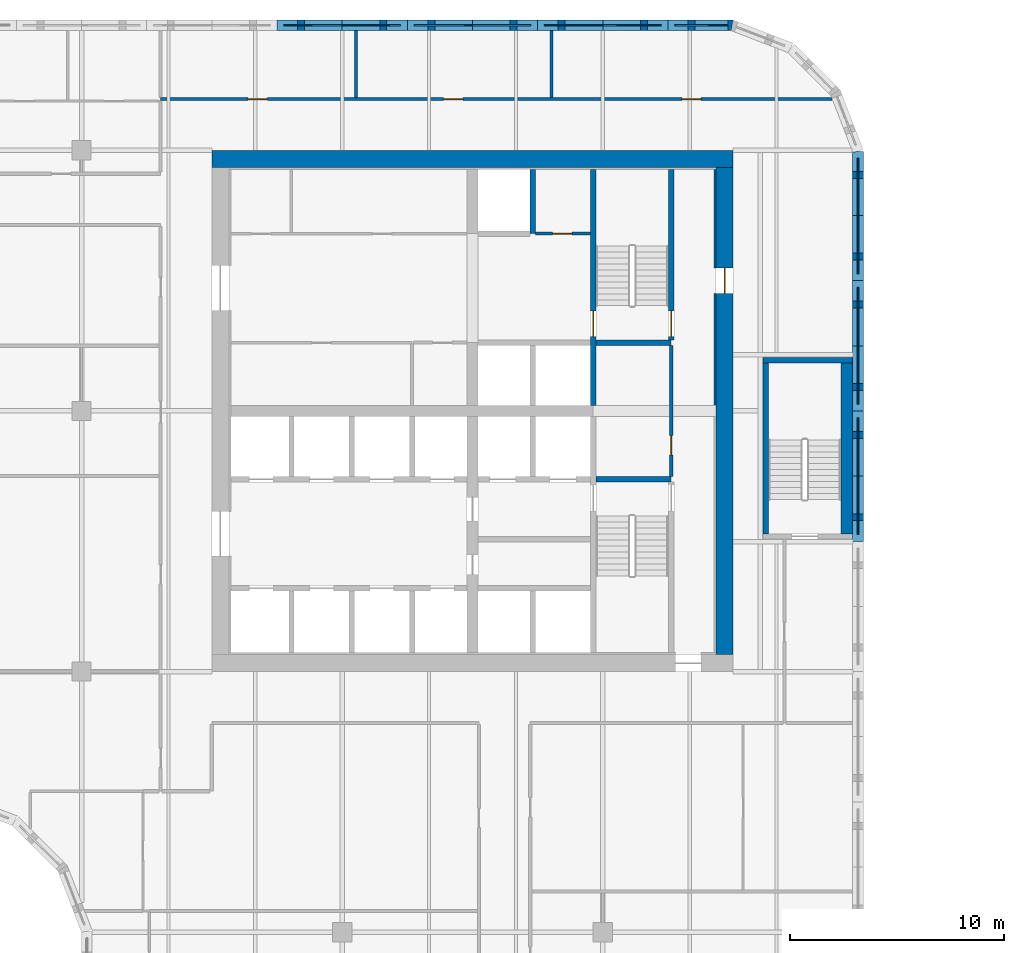
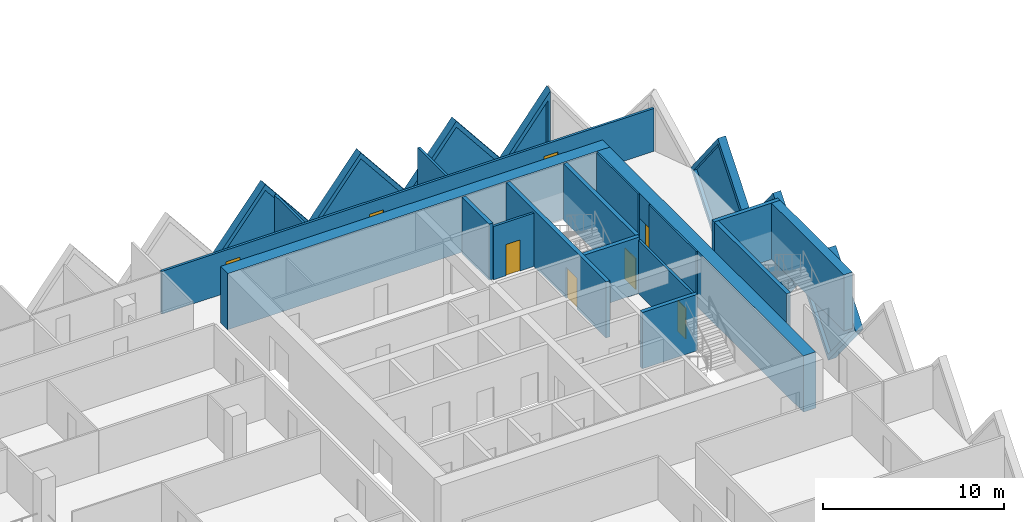
# One storey, part 10 of 21: 24 walls, 8 doors, 7 plates, 15 openings.
"""IFC4 building model written with IfcOpenShell, lengths in metres."""

import ifcopenshell
import ifcopenshell.guid

model = None  # the IFC model being written
_history = None  # IfcOwnerHistory: only IFC2X3 demands one
_inside = {}  # id of a spatial element -> (the spatial element, [elements in it])
_under = {}  # id of a project, library or spatial element -> (it, [spatial elements below it])
_declared = {}  # id of a project -> (the project, [libraries it declares])
_typed = {}  # id of a type object -> (the type object, [elements of that type])
_made_of = {}  # id of a material, layer set ... -> (it, [elements and type objects made of it])


def new_model(schema):
    """Start an empty IFC model of exactly this schema.

    Asked for "IFC4X3", IfcOpenShell would pick the latest addendum, in which some entities
    have other attributes; the version numbers below select the first issue.
    IFC2X3 requires an IfcOwnerHistory on every rooted entity: one is made here for all.
    """
    global model, _history
    if schema == "IFC4X3":
        model = ifcopenshell.file(schema_version=(4, 3, 0, 0))
    else:
        model = ifcopenshell.file(schema=schema)
    _inside.clear()
    _under.clear()
    _declared.clear()
    _typed.clear()
    _made_of.clear()
    _history = None
    if model.schema == "IFC2X3":
        org = make("IfcOrganization", Name="unknown")
        user = make(
            "IfcPersonAndOrganization",
            ThePerson=make("IfcPerson", FamilyName="unknown"),
            TheOrganization=org,
        )
        app = make(
            "IfcApplication",
            ApplicationDeveloper=org,
            Version="unknown",
            ApplicationFullName="unknown",
            ApplicationIdentifier="unknown",
        )
        _history = make(
            "IfcOwnerHistory",
            OwningUser=user,
            OwningApplication=app,
            ChangeAction="ADDED",
            CreationDate=0,
        )
    return model


def make(cls, **values):
    """One entity of the class cls with the attributes given. An attribute that is None is left unset."""
    return model.create_entity(
        cls, **{name: value for name, value in values.items() if value is not None}
    )


def rooted(cls, **values):
    """An entity with a GlobalId (a new one), such as an element, a storey or a relation."""
    return make(cls, GlobalId=ifcopenshell.guid.new(), OwnerHistory=_history, **values)


def si_unit(unit_type, name, prefix=None):
    """IfcSIUnit, for example si_unit("LENGTHUNIT", "METRE", prefix="MILLI")."""
    return make("IfcSIUnit", UnitType=unit_type, Prefix=prefix, Name=name)


def assignment(units):
    """IfcUnitAssignment: the units of a project."""
    return None if units is None else make("IfcUnitAssignment", Units=units)


def point(xyz):
    """IfcCartesianPoint."""
    return None if xyz is None else make("IfcCartesianPoint", Coordinates=xyz)


def direction(xyz):
    """IfcDirection."""
    return None if xyz is None else make("IfcDirection", DirectionRatios=xyz)


def frame(location, z_axis=None, x_axis=None):
    """IfcAxis2Placement3D, a coordinate frame: its origin and axes. An axis left out is left unset."""
    return make(
        "IfcAxis2Placement3D",
        Location=point(location),
        Axis=direction(z_axis),
        RefDirection=direction(x_axis),
    )


def frame_2d(location, x_axis=None):
    """IfcAxis2Placement2D, a coordinate frame in the plane: its origin and x axis."""
    return make(
        "IfcAxis2Placement2D", Location=point(location), RefDirection=direction(x_axis)
    )


def origin():
    """The frame at (0, 0, 0) with its axes left unset."""
    return frame((0.0, 0.0, 0.0))


def place(relative_to, where):
    """IfcLocalPlacement: puts the frame where relative to a parent placement (None: the world)."""
    return make(
        "IfcLocalPlacement", PlacementRelTo=relative_to, RelativePlacement=where
    )


def context(
    kind, dimensions, precision=None, world=None, true_north=None, identifier=None
):
    """IfcGeometricRepresentationContext, for example the 3D "Model" context."""
    return make(
        "IfcGeometricRepresentationContext",
        ContextIdentifier=identifier,
        ContextType=kind,
        CoordinateSpaceDimension=dimensions,
        Precision=precision,
        WorldCoordinateSystem=world,
        TrueNorth=true_north,
    )


def subcontext(parent, identifier, kind, view, scale=None):
    """IfcGeometricRepresentationSubContext, for example "Body" below "Model"."""
    return make(
        "IfcGeometricRepresentationSubContext",
        ContextIdentifier=identifier,
        ContextType=kind,
        ParentContext=parent,
        TargetScale=scale,
        TargetView=view,
    )


def project(units=None, contexts=None):
    """IfcProject with its units and contexts."""
    return rooted(
        "IfcProject",
        Name="project",
        RepresentationContexts=contexts,
        UnitsInContext=assignment(units),
    )


def spatial(cls, under=None, at=None, **own):
    """A site, building, storey or space (cls), placed at a placement, below another one or the project."""
    s = rooted(cls, ObjectPlacement=at, **own)
    if under is not None:
        _under.setdefault(under.id(), (under, []))[1].append(s)
    return s


def polyline(points):
    """IfcPolyline through the points."""
    return make("IfcPolyline", Points=[point(p) for p in points])


def profile(cls, at=None, kind="AREA", **sizes):
    """A parametric profile (cls). Its sizes go by their IFC names, for example OverallWidth=200.0."""
    return make(cls, ProfileType=kind, Position=at, **sizes)


def rectangle(**sizes):
    """IfcRectangleProfileDef."""
    return profile("IfcRectangleProfileDef", **sizes)


def outline(outer, holes=None, kind="AREA"):
    """IfcArbitraryClosedProfileDef: a profile drawn as a closed curve; with holes, ...WithVoids."""
    if holes is None:
        return make("IfcArbitraryClosedProfileDef", ProfileType=kind, OuterCurve=outer)
    return make(
        "IfcArbitraryProfileDefWithVoids",
        ProfileType=kind,
        OuterCurve=outer,
        InnerCurves=holes,
    )


def extrude(swept, where, along, depth):
    """IfcExtrudedAreaSolid: the profile swept, set in the frame where, extruded along a direction by depth."""
    return make(
        "IfcExtrudedAreaSolid",
        SweptArea=swept,
        Position=where,
        ExtrudedDirection=direction(along),
        Depth=depth,
    )


def faces_of(points, faces, orient=None, outer=None):
    """IfcFace entities. A face is a list of loops; a loop is a list of indices into points, from 0.

    orient and outer hold one flag for each loop. By default every Orientation is true, the
    first loop of a face is its IfcFaceOuterBound and the others are IfcFaceBound.
    """
    made = []
    for i, loops in enumerate(faces):
        bounds = []
        for j, loop in enumerate(loops):
            is_outer = j == 0 if outer is None else outer[i][j]
            bounds.append(
                make(
                    "IfcFaceOuterBound" if is_outer else "IfcFaceBound",
                    Bound=make("IfcPolyLoop", Polygon=[points[k] for k in loop]),
                    Orientation=True if orient is None else orient[i][j],
                )
            )
        made.append(make("IfcFace", Bounds=bounds))
    return made


def faceted_brep(points, faces, orient=None, outer=None, voids=None):
    """IfcFacetedBrep: a solid bounded by flat faces; with voids (closed shells), ...WithVoids."""
    shared = [point(p) for p in points]
    hull = make("IfcClosedShell", CfsFaces=faces_of(shared, faces, orient, outer))
    if voids is None:
        return make("IfcFacetedBrep", Outer=hull)
    return make(
        "IfcFacetedBrepWithVoids",
        Outer=hull,
        Voids=[
            make(cls, CfsFaces=faces_of(shared, fs, o, b)) for cls, fs, o, b in voids
        ],
    )


def shape(context_of_items, identifier, shape_type, items):
    """IfcShapeRepresentation: the items that make up one representation, for example the "Body"."""
    return make(
        "IfcShapeRepresentation",
        ContextOfItems=context_of_items,
        RepresentationIdentifier=identifier,
        RepresentationType=shape_type,
        Items=items,
    )


def source(mapping_origin, context_of_items, identifier, shape_type, items):
    """IfcRepresentationMap: a shape defined once, which mapped items show again and again."""
    return make(
        "IfcRepresentationMap",
        MappingOrigin=mapping_origin,
        MappedRepresentation=shape(context_of_items, identifier, shape_type, items),
    )


def transform(
    local_origin,
    x_axis=None,
    y_axis=None,
    z_axis=None,
    scale=None,
    scale2=None,
    scale3=None,
    uniform=True,
):
    """IfcCartesianTransformationOperator3D, or its non-uniform kind. x_axis, y_axis, z_axis: its Axis1, 2, 3."""
    if uniform:
        return make(
            "IfcCartesianTransformationOperator3D",
            Axis1=direction(x_axis),
            Axis2=direction(y_axis),
            LocalOrigin=point(local_origin),
            Scale=scale,
            Axis3=direction(z_axis),
        )
    return make(
        "IfcCartesianTransformationOperator3DnonUniform",
        Axis1=direction(x_axis),
        Axis2=direction(y_axis),
        LocalOrigin=point(local_origin),
        Scale=scale,
        Axis3=direction(z_axis),
        Scale2=scale2,
        Scale3=scale3,
    )


def mapped(mapping_source, mapping_target):
    """IfcMappedItem: shows the shape of a source again, moved by a transform."""
    return make(
        "IfcMappedItem", MappingSource=mapping_source, MappingTarget=mapping_target
    )


def material(Name=None, Category=None):
    """IfcMaterial."""
    return make("IfcMaterial", Name=Name, Category=Category)


def layer(
    of_material, thickness, ventilated=None, Name=None, Category=None, Priority=None
):
    """IfcMaterialLayer: one layer of a wall or slab, of a material (None: an air gap)."""
    return make(
        "IfcMaterialLayer",
        Material=of_material,
        LayerThickness=thickness,
        IsVentilated=ventilated,
        Name=Name,
        Category=Category,
        Priority=Priority,
    )


def layer_set(layers, Name=None):
    """IfcMaterialLayerSet."""
    return make("IfcMaterialLayerSet", MaterialLayers=layers, LayerSetName=Name)


def made_of(thing, what):
    """Note that an element or type object is made of a material, layer set ...; save() writes the relation."""
    if what is not None:
        _made_of.setdefault(what.id(), (what, []))[1].append(thing)
    return thing


def type_object(cls, material=None, **own):
    """A type object (cls), such as IfcWallType, which elements share."""
    return made_of(rooted(cls, **own), material)


def element(
    cls,
    number,
    at=None,
    inside=None,
    cuts=None,
    type_object=None,
    material=None,
    context=None,
    identifier="Body",
    shape_type=None,
    held_by="IfcProductDefinitionShape",
    body=None,
    shapes=None,
    **own,
):
    """One element of the class cls, such as IfcWall. Its Tag is "e" and its number.

    at: its placement. inside: the storey or other place that contains it. cuts: it is an
    opening in that element (IfcRelVoidsElement). A single representation is given by context,
    identifier, shape_type and body (its items); several are given by shapes. held_by: the class
    of the entity that holds the representations. save() writes the other relations.
    """
    e = rooted(cls, Tag="e%d" % number, ObjectPlacement=at, **own)
    if body is not None:
        shapes = [shape(context, identifier, shape_type, body)]
    if shapes is not None:
        e.Representation = make(held_by, Representations=shapes)
    if inside is not None:
        _inside.setdefault(inside.id(), (inside, []))[1].append(e)
    if cuts is not None:
        rooted(
            "IfcRelVoidsElement", RelatingBuildingElement=cuts, RelatedOpeningElement=e
        )
    if type_object is not None:
        _typed.setdefault(type_object.id(), (type_object, []))[1].append(e)
    return made_of(e, material)


def fill(opening, filler):
    """IfcRelFillsElement: the door or window that sits in an opening."""
    return rooted(
        "IfcRelFillsElement",
        RelatingOpeningElement=opening,
        RelatedBuildingElement=filler,
    )


def aggregate(whole, parts):
    """IfcRelAggregates: a whole, such as a stair, and the parts it consists of."""
    return rooted("IfcRelAggregates", RelatingObject=whole, RelatedObjects=parts)


def save(model, path):
    """Write the relations noted so far, then the file.

    IfcRelAggregates (storeys below a building ...), IfcRelContainedInSpatialStructure (elements
    in a storey), IfcRelDefinesByType, IfcRelAssociatesMaterial and IfcRelDeclares: one each for
    every whole, place, type object, material and project.
    """
    for whole, parts in _under.values():
        aggregate(whole, parts)
    for where, things in _inside.values():
        rooted(
            "IfcRelContainedInSpatialStructure",
            RelatedElements=things,
            RelatingStructure=where,
        )
    for kind, things in _typed.values():
        rooted("IfcRelDefinesByType", RelatedObjects=things, RelatingType=kind)
    for what, things in _made_of.values():
        rooted("IfcRelAssociatesMaterial", RelatedObjects=things, RelatingMaterial=what)
    for by, libraries in _declared.values():
        rooted("IfcRelDeclares", RelatingContext=by, RelatedDefinitions=libraries)
    model.write(path)


model = new_model("IFC4")

# Units and contexts
model_context = context("Model", 3, precision=1e-05, world=origin(), true_north=direction((0.0, 1.0)))
body_context = subcontext(model_context, "Body", "Model", "MODEL_VIEW")
ifc_project = project(units=[si_unit("LENGTHUNIT", "METRE"), si_unit("AREAUNIT", "SQUARE_METRE"), si_unit("VOLUMEUNIT", "CUBIC_METRE"), si_unit("PLANEANGLEUNIT", "RADIAN"), si_unit("MASSUNIT", "GRAM", prefix="KILO")], contexts=[model_context])

# Site, building, storey
site_placement = place(None, origin())
site = spatial("IfcSite", under=ifc_project, at=site_placement, CompositionType="ELEMENT")
building_placement = place(site_placement, origin())
building = spatial("IfcBuilding", under=site, at=building_placement, Name="Tessera Gate Towers", CompositionType="ELEMENT")
storey_placement = place(building_placement, frame((0.0, 0.0, 91.39990234375)))
storey = spatial("IfcBuildingStorey", under=building, at=storey_placement, Name="L22", CompositionType="ELEMENT", Elevation=91.39990234375)

# Wall, opening, door
ifc_material_1 = material(Name="Concrete C40/50", Category="concrete")
ifc_layer_1 = layer(ifc_material_1, 0.25)
ifc_layer_set_1 = layer_set([ifc_layer_1], Name="CORE ENCLOSURE WALL 250")
wall_type_1 = type_object("IfcWallType", Name="CORE ENCLOSURE WALL 250", PredefinedType="SOLIDWALL", material=ifc_layer_set_1)
wall_1_placement = place(storey_placement, frame((48.35009765625, 47.89990234375, 0.0), z_axis=(0.0, 0.0, 1.0), x_axis=(0.0, -1.0, 0.0)))
wall_1 = element("IfcWall", 1, at=wall_1_placement, inside=storey, type_object=wall_type_1, Name="L22 shaft and stair enclosure wall", PredefinedType="SOLIDWALL", context=body_context, shape_type="SweptSolid", body=[
    extrude(rectangle(XDim=11.0498046875, YDim=0.25, at=frame_2d((5.52490234375, 0.0))), origin(), (0.0, 0.0, 1.0), 3.800048828125),
])
shared_shape_1 = source(origin(), body_context, "Body", "SweptSolid", [
    extrude(rectangle(XDim=1.199951171875, YDim=2.10009765625, at=frame_2d((0.60009765625, 1.050048828125))), frame((0.0, 0.135009765625, 0.0), z_axis=(0.0, -1.0, 0.0), x_axis=(1.0, 0.0, 0.0)), (0.0, 0.0, 1.0), 0.27001953125),
])
opening_1_placement = place(wall_1_placement, frame((6.625, 0.0, 0.0)))
opening_1 = element("IfcOpeningElement", 2, at=opening_1_placement, cuts=wall_1, Name="Opening SD-ST2-1", PredefinedType="OPENING", context=body_context, shape_type="MappedRepresentation", body=[
    mapped(shared_shape_1, transform((0.0, 0.0, 0.0), scale=1.0)),
])
ifc_material_2 = material(Name="Hollow steel fire door", Category="steel")
door_type_1 = type_object("IfcDoorType", Name="CORE DOOR SD 1200x2100", OperationType="NOTDEFINED", PredefinedType="DOOR", material=ifc_material_2)
shared_shape_2 = source(origin(), body_context, "Body", "SweptSolid", [
    extrude(rectangle(XDim=1.199951171875, YDim=2.10009765625, at=frame_2d((0.60009765625, 1.050048828125))), frame((0.0, 0.02490234375, 0.0), z_axis=(0.0, -1.0, 0.0), x_axis=(1.0, 0.0, 0.0)), (0.0, 0.0, 1.0), 0.050048828125),
])
door_1_placement = place(opening_1_placement, origin())
door_1 = element("IfcDoor", 3, at=door_1_placement, inside=storey, type_object=door_type_1, Name="Stair door", OperationType="SINGLE_SWING_RIGHT", OverallHeight=2.10009765625, OverallWidth=1.199951171875, PredefinedType="DOOR", context=body_context, shape_type="MappedRepresentation", body=[
    mapped(shared_shape_2, transform((0.0, 0.0, 0.0), scale=1.0)),
])
fill(opening_1, door_1)

# Walls
for number, where, z_axis, x_axis, name in (
    (4, (48.47509765625, 33.39990234375, 0.0), (0.0, 0.0, 1.0), (1.0, 0.0, 0.0), "L22 shaft and stair enclosure wall"),
    (5, (48.47509765625, 39.800048828125, 0.0), (0.0, 0.0, 1.0), (1.0, 0.0, 0.0), "L22 shaft and stair enclosure wall"),
):
    element("IfcWall", number, at=place(storey_placement, frame(where, z_axis=z_axis, x_axis=x_axis)), inside=storey, type_object=wall_type_1, Name=name, PredefinedType="SOLIDWALL", context=body_context, shape_type="SweptSolid", body=[
        extrude(rectangle(XDim=3.52490234375, YDim=0.25, at=frame_2d((1.762451171875, 0.0))), origin(), (0.0, 0.0, 1.0), 3.800048828125),
    ])

# Wall, opening, door
wall_2_placement = place(storey_placement, frame((52.0, 39.925048828125, 0.0), z_axis=(0.0, 0.0, 1.0), x_axis=(0.0, 1.0, 0.0)))
wall_2 = element("IfcWall", 6, at=wall_2_placement, inside=storey, type_object=wall_type_1, Name="L22 shaft and stair enclosure wall", PredefinedType="SOLIDWALL", context=body_context, shape_type="SweptSolid", body=[
    extrude(rectangle(XDim=7.974853515625, YDim=0.25, at=frame_2d((3.9873046875, 0.0))), origin(), (0.0, 0.0, 1.0), 3.800048828125),
])
opening_2_placement = place(wall_2_placement, frame((0.14990234375, 0.0, 0.0)))
opening_2 = element("IfcOpeningElement", 7, at=opening_2_placement, cuts=wall_2, Name="Opening SD-ST2-2", PredefinedType="OPENING", context=body_context, shape_type="MappedRepresentation", body=[
    mapped(shared_shape_1, transform((0.0, 0.0, 0.0), scale=1.0)),
])
door_2_placement = place(opening_2_placement, origin())
door_2 = element("IfcDoor", 8, at=door_2_placement, inside=storey, type_object=door_type_1, Name="Stair door", OperationType="SINGLE_SWING_LEFT", OverallHeight=2.10009765625, OverallWidth=1.199951171875, PredefinedType="DOOR", context=body_context, shape_type="MappedRepresentation", body=[
    mapped(shared_shape_2, transform((0.0, 0.0, 0.0), scale=1.0)),
])
fill(opening_2, door_2)

# Walls
wall_3_placement = place(storey_placement, frame((45.52490234375, 44.89990234375, 0.0), z_axis=(0.0, 0.0, 1.0), x_axis=(0.0, 1.0, 0.0)))
element("IfcWall", 9, at=wall_3_placement, inside=storey, type_object=wall_type_1, Name="L22 shaft and stair enclosure wall", PredefinedType="SOLIDWALL", context=body_context, shape_type="SweptSolid", body=[
    extrude(rectangle(XDim=3.0, YDim=0.25, at=frame_2d((1.5, 0.0))), origin(), (0.0, 0.0, 1.0), 3.800048828125),
])
wall_4_placement = place(storey_placement, frame((56.425048828125, 30.85009765625, 0.0), z_axis=(0.0, 0.0, 1.0), x_axis=(0.0, 1.0, 0.0)))
element("IfcWall", 10, at=wall_4_placement, inside=storey, type_object=wall_type_1, Name="L22 ST5 enclosure wall", PredefinedType="SOLIDWALL", context=body_context, shape_type="SweptSolid", body=[
    extrude(rectangle(XDim=8.0, YDim=0.25, at=frame_2d((4.0, 0.0))), origin(), (0.0, 0.0, 1.0), 3.800048828125),
])
wall_5_placement = place(storey_placement, frame((56.300048828125, 38.97509765625, 0.0), z_axis=(0.0, 0.0, 1.0), x_axis=(1.0, 0.0, 0.0)))
element("IfcWall", 11, at=wall_5_placement, inside=storey, type_object=wall_type_1, Name="L22 ST5 enclosure wall", PredefinedType="SOLIDWALL", context=body_context, shape_type="SweptSolid", body=[
    extrude(rectangle(XDim=4.199951171875, YDim=0.25, at=frame_2d((2.10009765625, 0.0))), origin(), (0.0, 0.0, 1.0), 3.800048828125),
])
ifc_material_3 = material(Name="Concrete C40/50", Category="concrete")
ifc_layer_2 = layer(ifc_material_3, 0.550048828125)
ifc_layer_set_2 = layer_set([ifc_layer_2], Name="CORE ENCLOSURE WALL 550")
wall_type_2 = type_object("IfcWallType", Name="CORE ENCLOSURE WALL 550", PredefinedType="SOLIDWALL", material=ifc_layer_set_2)
wall_6_placement = place(storey_placement, frame((60.22509765625, 38.85009765625, 0.0), z_axis=(0.0, 0.0, 1.0), x_axis=(0.0, -1.0, 0.0)))
element("IfcWall", 12, at=wall_6_placement, inside=storey, type_object=wall_type_2, Name="L22 ST5 enclosure wall", PredefinedType="SOLIDWALL", context=body_context, shape_type="SweptSolid", body=[
    extrude(rectangle(XDim=8.0, YDim=0.550048828125, at=frame_2d((4.0, 0.0))), origin(), (0.0, 0.0, 1.0), 3.800048828125),
])
ifc_material_4 = material(Name="Concrete C60/75", Category="concrete")
ifc_layer_3 = layer(ifc_material_4, 0.800048828125)
ifc_layer_set_3 = layer_set([ifc_layer_3], Name="CORE SHEAR WALL 800 C60/75")
wall_type_3 = type_object("IfcWallType", Name="CORE SHEAR WALL 800 C60/75", PredefinedType="SHEAR", material=ifc_layer_set_3)
wall_7_placement = place(storey_placement, frame((30.5, 48.39990234375, 0.0), z_axis=(0.0, 0.0, 1.0), x_axis=(1.0, 0.0, 0.0)))
element("IfcWall", 13, at=wall_7_placement, inside=storey, type_object=wall_type_3, Name="Core wall N L22", PredefinedType="SHEAR", context=body_context, shape_type="SweptSolid", body=[
    extrude(rectangle(XDim=24.39990234375, YDim=0.800048828125, at=frame_2d((12.199951171875, 0.0))), origin(), (0.0, 0.0, 1.0), 3.800048828125),
])

# Wall, opening, door
wall_8_placement = place(storey_placement, frame((54.5, 48.0, 0.0), z_axis=(0.0, 0.0, 1.0), x_axis=(0.0, -1.0, 0.0)))
wall_8 = element("IfcWall", 14, at=wall_8_placement, inside=storey, type_object=wall_type_3, Name="Core wall E L22", PredefinedType="SHEAR", context=body_context, shape_type="SweptSolid", body=[
    extrude(rectangle(XDim=22.800048828125, YDim=0.800048828125, at=frame_2d((11.39990234375, 0.0))), origin(), (0.0, 0.0, 1.0), 3.800048828125),
])
shared_shape_3 = source(origin(), body_context, "Body", "SweptSolid", [
    extrude(rectangle(XDim=1.199951171875, YDim=2.10009765625, at=frame_2d((0.60009765625, 1.050048828125))), frame((0.0, 0.409912109375, 0.0), z_axis=(0.0, -1.0, 0.0), x_axis=(1.0, 0.0, 0.0)), (0.0, 0.0, 1.0), 0.820068359375),
])
opening_3_placement = place(wall_8_placement, frame((4.699951171875, 0.0, 0.0)))
opening_3 = element("IfcOpeningElement", 15, at=opening_3_placement, cuts=wall_8, Name="Opening ED-T1-15-04", PredefinedType="OPENING", context=body_context, shape_type="MappedRepresentation", body=[
    mapped(shared_shape_3, transform((0.0, 0.0, 0.0), scale=1.0)),
])
ifc_material_5 = material(Name="Hollow steel fire door", Category="steel")
door_type_2 = type_object("IfcDoorType", Name="CORE DOOR ED 1200x2100", OperationType="NOTDEFINED", PredefinedType="DOOR", material=ifc_material_5)
door_3_placement = place(opening_3_placement, origin())
door_3 = element("IfcDoor", 16, at=door_3_placement, inside=storey, type_object=door_type_2, Name="Core exit door", OperationType="SINGLE_SWING_LEFT", OverallHeight=2.10009765625, OverallWidth=1.199951171875, PredefinedType="DOOR", context=body_context, shape_type="MappedRepresentation", body=[
    mapped(shared_shape_2, transform((0.0, 0.0, 0.0), scale=1.0)),
])
fill(opening_3, door_3)

# Walls
ifc_material_6 = material(Name="Concrete C60/75", Category="concrete")
ifc_layer_4 = layer(ifc_material_6, 0.10009765625)
ifc_layer_set_4 = layer_set([ifc_layer_4], Name="CORE WALL THICKENING 100")
wall_type_4 = type_object("IfcWallType", Name="CORE WALL THICKENING 100", PredefinedType="SOLIDWALL", material=ifc_layer_set_4)
wall_9_placement = place(storey_placement, frame((54.050048828125, 36.8798828125, 0.0), z_axis=(0.0, 0.0, 1.0), x_axis=(0.0, 1.0, 0.0)))
element("IfcWall", 17, at=wall_9_placement, inside=storey, type_object=wall_type_4, Name="Core wall thickening E L22", PredefinedType="SOLIDWALL", context=body_context, shape_type="SweptSolid", body=[
    extrude(rectangle(XDim=5.22021484375, YDim=0.10009765625, at=frame_2d((2.610107421875, 0.0))), origin(), (0.0, 0.0, 1.0), 3.800048828125),
])
wall_10_placement = place(storey_placement, frame((54.050048828125, 43.300048828125, 0.0), z_axis=(0.0, 0.0, 1.0), x_axis=(0.0, 1.0, 0.0)))
element("IfcWall", 18, at=wall_10_placement, inside=storey, type_object=wall_type_4, Name="Core wall thickening E L22", PredefinedType="SOLIDWALL", context=body_context, shape_type="SweptSolid", body=[
    extrude(rectangle(XDim=4.599853515625, YDim=0.10009765625, at=frame_2d((2.2998046875, 0.0))), origin(), (0.0, 0.0, 1.0), 3.800048828125),
])

# Wall, openings, doors
ifc_material_7 = material(Name="Gypsum board on steel studs, mineral wool", Category="steel")
ifc_layer_5 = layer(ifc_material_7, 0.14990234375)
ifc_layer_set_5 = layer_set([ifc_layer_5], Name="CORRIDOR WALL 150")
wall_type_5 = type_object("IfcWallType", Name="CORRIDOR WALL 150", PredefinedType="PARTITIONING", material=ifc_layer_set_5)
wall_11_placement = place(storey_placement, frame((28.10009765625, 51.199951171875, 0.0), z_axis=(0.0, 0.0, 1.0), x_axis=(1.0, 0.0, 0.0)))
wall_11 = element("IfcWall", 19, at=wall_11_placement, inside=storey, type_object=wall_type_5, Name="T1-L22-PW-054", PredefinedType="PARTITIONING", context=body_context, shape_type="SweptSolid", body=[
    extrude(rectangle(XDim=31.438232421875, YDim=0.14990234375, at=frame_2d((15.71923828125, 0.0))), origin(), (0.0, 0.0, 1.0), 2.89501953125),
])
shared_shape_4 = source(origin(), body_context, "Body", "SweptSolid", [
    extrude(rectangle(XDim=0.89990234375, YDim=2.10009765625, at=frame_2d((0.449951171875, 1.050048828125))), frame((0.0, 0.0849609375, 0.0), z_axis=(0.0, -1.0, 0.0), x_axis=(1.0, 0.0, 0.0)), (0.0, 0.0, 1.0), 0.169921875),
])
opening_4_placement = place(wall_11_placement, frame((13.2509765625, 0.0, 0.0)))
opening_4 = element("IfcOpeningElement", 20, at=opening_4_placement, cuts=wall_11, Name="Opening D890FD60-A08-09", PredefinedType="OPENING", context=body_context, shape_type="MappedRepresentation", body=[
    mapped(shared_shape_4, transform((0.0, 0.0, 0.0), scale=1.0)),
])
opening_5_placement = place(wall_11_placement, frame((4.10009765625, 0.0, 0.0)))
opening_5 = element("IfcOpeningElement", 21, at=opening_5_placement, cuts=wall_11, Name="Opening D890FD60-A08-10", PredefinedType="OPENING", context=body_context, shape_type="MappedRepresentation", body=[
    mapped(shared_shape_4, transform((0.0, 0.0, 0.0), scale=1.0)),
])
opening_6_placement = place(wall_11_placement, frame((24.39990234375, 0.0, 0.0)))
opening_6 = element("IfcOpeningElement", 22, at=opening_6_placement, cuts=wall_11, Name="Opening D890FD60-A08-13", PredefinedType="OPENING", context=body_context, shape_type="MappedRepresentation", body=[
    mapped(shared_shape_4, transform((0.0, 0.0, 0.0), scale=1.0)),
])
ifc_material_8 = material(Name="Timber door leaf in steel frame", Category="steel")
door_type_3 = type_object("IfcDoorType", Name="CORRIDOR DOOR 900 FD60", OperationType="NOTDEFINED", PredefinedType="DOOR", material=ifc_material_8)
shared_shape_5 = source(origin(), body_context, "Body", "SweptSolid", [
    extrude(rectangle(XDim=0.89990234375, YDim=2.10009765625, at=frame_2d((0.449951171875, 1.050048828125))), frame((0.0, 0.02490234375, 0.0), z_axis=(0.0, -1.0, 0.0), x_axis=(1.0, 0.0, 0.0)), (0.0, 0.0, 1.0), 0.050048828125),
])
door_4_placement = place(opening_4_placement, origin())
door_4 = element("IfcDoor", 23, at=door_4_placement, inside=storey, type_object=door_type_3, Name="T1-L22-PD-024", OperationType="SINGLE_SWING_LEFT", OverallHeight=2.10009765625, OverallWidth=0.89990234375, PredefinedType="DOOR", context=body_context, shape_type="MappedRepresentation", body=[
    mapped(shared_shape_5, transform((0.0, 0.0, 0.0), scale=1.0)),
])
fill(opening_4, door_4)
door_5_placement = place(opening_5_placement, origin())
door_5 = element("IfcDoor", 24, at=door_5_placement, inside=storey, type_object=door_type_3, Name="T1-L22-PD-025", OperationType="SINGLE_SWING_LEFT", OverallHeight=2.10009765625, OverallWidth=0.89990234375, PredefinedType="DOOR", context=body_context, shape_type="MappedRepresentation", body=[
    mapped(shared_shape_5, transform((0.0, 0.0, 0.0), scale=1.0)),
])
fill(opening_5, door_5)
door_6_placement = place(opening_6_placement, origin())
door_6 = element("IfcDoor", 25, at=door_6_placement, inside=storey, type_object=door_type_3, Name="T1-L22-PD-028", OperationType="SINGLE_SWING_LEFT", OverallHeight=2.10009765625, OverallWidth=0.89990234375, PredefinedType="DOOR", context=body_context, shape_type="MappedRepresentation", body=[
    mapped(shared_shape_5, transform((0.0, 0.0, 0.0), scale=1.0)),
])
fill(opening_6, door_6)

# Wall, opening, door
ifc_material_9 = material(Name="Gypsum board on steel studs", Category="steel")
ifc_layer_6 = layer(ifc_material_9, 0.14990234375)
ifc_layer_set_6 = layer_set([ifc_layer_6], Name="SERVICE ROOM WALL 150")
wall_type_6 = type_object("IfcWallType", Name="SERVICE ROOM WALL 150", PredefinedType="PARTITIONING", material=ifc_layer_set_6)
wall_12_placement = place(storey_placement, frame((52.0, 33.52490234375, 0.0), z_axis=(0.0, 0.0, 1.0), x_axis=(0.0, 1.0, 0.0)))
wall_12 = element("IfcWall", 26, at=wall_12_placement, inside=storey, type_object=wall_type_6, Name="L22 service room wall", PredefinedType="PARTITIONING", context=body_context, shape_type="SweptSolid", body=[
    extrude(rectangle(XDim=6.150146484375, YDim=0.14990234375, at=frame_2d((3.0751953125, 0.0))), origin(), (0.0, 0.0, 1.0), 3.60009765625),
])
opening_7_placement = place(wall_12_placement, frame((1.02490234375, 0.0, 0.0)))
opening_7 = element("IfcOpeningElement", 27, at=opening_7_placement, cuts=wall_12, Name="Opening RD-T1-15-10", PredefinedType="OPENING", context=body_context, shape_type="MappedRepresentation", body=[
    mapped(shared_shape_4, transform((0.0, 0.0, 0.0), scale=1.0)),
])
ifc_material_10 = material(Name="Hollow steel fire door", Category="steel")
door_type_4 = type_object("IfcDoorType", Name="CORE DOOR RD 900x2100", OperationType="NOTDEFINED", PredefinedType="DOOR", material=ifc_material_10)
door_7_placement = place(opening_7_placement, origin())
door_7 = element("IfcDoor", 28, at=door_7_placement, inside=storey, type_object=door_type_4, Name="Core room door", OperationType="SINGLE_SWING_LEFT", OverallHeight=2.10009765625, OverallWidth=0.89990234375, PredefinedType="DOOR", context=body_context, shape_type="MappedRepresentation", body=[
    mapped(shared_shape_5, transform((0.0, 0.0, 0.0), scale=1.0)),
])
fill(opening_7, door_7)

wall_13_placement = place(storey_placement, frame((45.64990234375, 44.89990234375, 0.0), z_axis=(0.0, 0.0, 1.0), x_axis=(1.0, 0.0, 0.0)))
wall_13 = element("IfcWall", 29, at=wall_13_placement, inside=storey, type_object=wall_type_6, Name="L22 service room wall", PredefinedType="PARTITIONING", context=body_context, shape_type="SweptSolid", body=[
    extrude(rectangle(XDim=2.5751953125, YDim=0.14990234375, at=frame_2d((1.28759765625, 0.0))), origin(), (0.0, 0.0, 1.0), 3.60009765625),
])
opening_8_placement = place(wall_13_placement, frame((0.800048828125, 0.0, 0.0)))
opening_8 = element("IfcOpeningElement", 30, at=opening_8_placement, cuts=wall_13, Name="Opening RD-T1-15-11", PredefinedType="OPENING", context=body_context, shape_type="MappedRepresentation", body=[
    mapped(shared_shape_4, transform((0.0, 0.0, 0.0), scale=1.0)),
])
door_8_placement = place(opening_8_placement, origin())
door_8 = element("IfcDoor", 31, at=door_8_placement, inside=storey, type_object=door_type_4, Name="Core room door", OperationType="SINGLE_SWING_LEFT", OverallHeight=2.10009765625, OverallWidth=0.89990234375, PredefinedType="DOOR", context=body_context, shape_type="MappedRepresentation", body=[
    mapped(shared_shape_5, transform((0.0, 0.0, 0.0), scale=1.0)),
])
fill(opening_8, door_8)

# Walls
ifc_material_11 = material(Name="Gypsum board on steel studs, mineral wool", Category="steel")
ifc_layer_7 = layer(ifc_material_11, 0.14990234375)
ifc_layer_set_7 = layer_set([ifc_layer_7], Name="TENANCY WALL 150")
wall_type_7 = type_object("IfcWallType", Name="TENANCY WALL 150", PredefinedType="PARTITIONING", material=ifc_layer_set_7)
for number, where, z_axis, x_axis, name in (
    (32, (37.25, 51.27587890625, 0.0), (0.0, 0.0, 1.0), (0.0, 1.0, 0.0), "T1-L22-PW-056"),
    (33, (46.39990234375, 51.27587890625, 0.0), (0.0, 0.0, 1.0), (0.0, 1.0, 0.0), "T1-L22-PW-057"),
):
    element("IfcWall", number, at=place(storey_placement, frame(where, z_axis=z_axis, x_axis=x_axis)), inside=storey, type_object=wall_type_7, Name=name, PredefinedType="PARTITIONING", context=body_context, shape_type="SweptSolid", body=[
        extrude(rectangle(XDim=3.1240234375, YDim=0.14990234375, at=frame_2d((1.56201171875, 0.0))), origin(), (0.0, 0.0, 1.0), 2.89501953125),
    ])

# Wall, opening, plate
ifc_material_12 = material(Name="Precast concrete C60/75 white", Category="concrete")
ifc_layer_8 = layer(ifc_material_12, 0.5)
ifc_layer_set_8 = layer_set([ifc_layer_8], Name="TS3 corner tessera")
wall_type_8 = type_object("IfcWallType", Name="TS3 corner tessera", PredefinedType="SOLIDWALL", material=ifc_layer_set_8)
shared_shape_6 = source(origin(), body_context, "Body", "Brep", [
    faceted_brep([(0.046630859375, -0.25, 0.0), (3.050048828125, -0.25, 3.7998046875), (0.046630859375, -0.25, 7.599853515625), (0.0, -0.25, 7.539794921875), (0.0, -0.25, 0.06005859375), (0.09326171875, 0.25, 7.541015625), (3.050048828125, 0.25, 3.7998046875), (0.09326171875, 0.25, 0.058837890625), (0.046630859375, 0.0, 0.0), (0.046630859375, 0.0, 7.599853515625)], [[[0, 1, 2, 3, 4]], [[5, 6, 7]], [[7, 6, 1, 0, 8]], [[6, 5, 9, 2, 1]], [[3, 2, 9]], [[8, 0, 4]], [[7, 8, 4, 3, 9, 5]]]),
])
wall_14_placement = place(storey_placement, frame((54.900146484375, 54.64990234375, -3.7998046875), z_axis=(0.0, 0.0, 1.0), x_axis=(-1.0, 0.0, 0.0)))
wall_14 = element("IfcWall", 34, at=wall_14_placement, inside=storey, type_object=wall_type_8, Name="Precast corner tessera T1 TS3-0490", PredefinedType="SOLIDWALL", context=body_context, shape_type="MappedRepresentation", body=[
    mapped(shared_shape_6, transform((0.0, 0.0, 0.0), scale=1.0)),
])
shared_shape_7 = source(origin(), body_context, "Body", "SweptSolid", [
    extrude(outline(polyline([(0.24658203125, 0.656005859375), (2.7314453125, 3.7998046875), (0.24658203125, 6.943603515625), (0.24658203125, 0.656005859375)])), frame((0.0, 0.260009765625, 0.0), z_axis=(0.0, -1.0, 0.0), x_axis=(1.0, 0.0, 0.0)), (0.0, 0.0, 1.0), 0.52001953125),
])
opening_9_placement = place(wall_14_placement, origin())
opening_9 = element("IfcOpeningElement", 35, at=opening_9_placement, cuts=wall_14, Name="Opening T1-PL2-0724", PredefinedType="OPENING", context=body_context, shape_type="MappedRepresentation", body=[
    mapped(shared_shape_7, transform((0.0, 0.0, 0.0), scale=1.0)),
])
ifc_material_13 = material(Name="Low-e laminated glass", Category="glass")
ifc_layer_9 = layer(ifc_material_13, 0.06005859375)
ifc_layer_set_9 = layer_set([ifc_layer_9], Name="PL2 rhombic pane")
plate_type = type_object("IfcPlateType", Name="PL2 rhombic pane", PredefinedType="SHEET", material=ifc_layer_set_9)
shared_shape_8 = source(origin(), body_context, "Body", "SweptSolid", [
    extrude(outline(polyline([(0.24658203125, 0.656005859375), (2.7314453125, 3.7998046875), (0.24658203125, 6.943603515625), (0.24658203125, 0.656005859375)])), frame((0.0, 0.030029296875, 0.0), z_axis=(0.0, -1.0, 0.0), x_axis=(1.0, 0.0, 0.0)), (0.0, 0.0, 1.0), 0.06005859375),
])
plate_1_placement = place(opening_9_placement, origin())
plate_1 = element("IfcPlate", 36, at=plate_1_placement, inside=storey, type_object=plate_type, Name="Glass pane T1 PL2-0724", PredefinedType="SHEET", context=body_context, shape_type="MappedRepresentation", body=[
    mapped(shared_shape_8, transform((0.0, 0.0, 0.0), scale=1.0)),
])
fill(opening_9, plate_1)

ifc_material_14 = material(Name="Precast concrete C60/75 white", Category="concrete")
ifc_layer_10 = layer(ifc_material_14, 0.5)
ifc_layer_set_10 = layer_set([ifc_layer_10], Name="TS1 tessera")
wall_type_9 = type_object("IfcWallType", Name="TS1 tessera", PredefinedType="SOLIDWALL", material=ifc_layer_set_10)
shared_shape_9 = source(origin(), body_context, "Body", "Brep", [
    faceted_brep([(3.050048828125, -0.25, 0.0), (6.099853515625, -0.25, 3.799560546875), (6.099853515625, -0.25, 3.800048828125), (3.050048828125, -0.25, 7.599853515625), (0.0, -0.25, 3.7998046875), (0.0, 0.25, 3.7998046875), (3.050048828125, 0.25, 7.599853515625), (6.099853515625, 0.25, 3.800048828125), (6.099853515625, 0.25, 3.799560546875), (3.050048828125, 0.25, 0.0)], [[[0, 1, 2, 3, 4]], [[5, 6, 7, 8, 9]], [[9, 8, 1, 0]], [[7, 6, 3, 2]], [[6, 5, 4, 3]], [[5, 9, 0, 4]], [[1, 8, 7, 2]]]),
])
wall_15_placement = place(storey_placement, frame((60.75, 36.60009765625, -3.7998046875), z_axis=(0.0, 0.0, 1.0), x_axis=(0.0, 1.0, 0.0)))
wall_15 = element("IfcWall", 37, at=wall_15_placement, inside=storey, type_object=wall_type_9, Name="Precast tessera T1 TS1-0353", PredefinedType="SOLIDWALL", context=body_context, shape_type="MappedRepresentation", body=[
    mapped(shared_shape_9, transform((0.0, 0.0, 0.0), scale=1.0)),
])
shared_shape_10 = source(origin(), body_context, "Body", "SweptSolid", [
    extrude(outline(polyline([(3.050048828125, 0.3994140625), (5.779541015625, 3.7998046875), (3.050048828125, 7.200439453125), (0.320556640625, 3.7998046875), (3.050048828125, 0.3994140625)])), frame((0.0, 0.260009765625, 0.0), z_axis=(0.0, -1.0, 0.0), x_axis=(1.0, 0.0, 0.0)), (0.0, 0.0, 1.0), 0.52001953125),
])
opening_10_placement = place(wall_15_placement, origin())
opening_10 = element("IfcOpeningElement", 38, at=opening_10_placement, cuts=wall_15, Name="Opening T1-PL2-0719", PredefinedType="OPENING", context=body_context, shape_type="MappedRepresentation", body=[
    mapped(shared_shape_10, transform((0.0, 0.0, 0.0), scale=1.0)),
])
shared_shape_11 = source(origin(), body_context, "Body", "SweptSolid", [
    extrude(outline(polyline([(3.050048828125, 0.3994140625), (5.779541015625, 3.7998046875), (3.050048828125, 7.200439453125), (0.320556640625, 3.7998046875), (3.050048828125, 0.3994140625)])), frame((0.0, 0.030029296875, 0.0), z_axis=(0.0, -1.0, 0.0), x_axis=(1.0, 0.0, 0.0)), (0.0, 0.0, 1.0), 0.06005859375),
])
plate_2_placement = place(opening_10_placement, origin())
plate_2 = element("IfcPlate", 39, at=plate_2_placement, inside=storey, type_object=plate_type, Name="Glass pane T1 PL2-0719", PredefinedType="SHEET", context=body_context, shape_type="MappedRepresentation", body=[
    mapped(shared_shape_11, transform((0.0, 0.0, 0.0), scale=1.0)),
])
fill(opening_10, plate_2)

wall_16_placement = place(storey_placement, frame((39.64990234375, 54.64990234375, -3.7998046875), z_axis=(0.0, 0.0, 1.0), x_axis=(-1.0, 0.0, 0.0)))
wall_16 = element("IfcWall", 40, at=wall_16_placement, inside=storey, type_object=wall_type_9, Name="Precast tessera T1 TS1-0357", PredefinedType="SOLIDWALL", context=body_context, shape_type="MappedRepresentation", body=[
    mapped(shared_shape_9, transform((0.0, 0.0, 0.0), scale=1.0)),
])
opening_11_placement = place(wall_16_placement, origin())
opening_11 = element("IfcOpeningElement", 41, at=opening_11_placement, cuts=wall_16, Name="Opening T1-PL2-0727", PredefinedType="OPENING", context=body_context, shape_type="MappedRepresentation", body=[
    mapped(shared_shape_10, transform((0.0, 0.0, 0.0), scale=1.0)),
])
plate_3_placement = place(opening_11_placement, origin())
plate_3 = element("IfcPlate", 42, at=plate_3_placement, inside=storey, type_object=plate_type, Name="Glass pane T1 PL2-0727", PredefinedType="SHEET", context=body_context, shape_type="MappedRepresentation", body=[
    mapped(shared_shape_11, transform((0.0, 0.0, 0.0), scale=1.0)),
])
fill(opening_11, plate_3)

shared_shape_12 = source(origin(), body_context, "Body", "SweptSolid", [
    extrude(outline(polyline([(3.050048828125, 0.0), (6.10009765625, 3.7998046875), (3.050048828125, 7.599853515625), (0.0, 3.7998046875), (3.050048828125, 0.0)])), frame((0.0, 0.25, 0.0), z_axis=(0.0, -1.0, 0.0), x_axis=(1.0, 0.0, 0.0)), (0.0, 0.0, 1.0), 0.5),
])
wall_17_placement = place(storey_placement, frame((60.75, 30.5, -3.7998046875), z_axis=(0.0, 0.0, 1.0), x_axis=(0.0, 1.0, 0.0)))
wall_17 = element("IfcWall", 43, at=wall_17_placement, inside=storey, type_object=wall_type_9, Name="Precast tessera T1 TS1-0352", PredefinedType="SOLIDWALL", context=body_context, shape_type="MappedRepresentation", body=[
    mapped(shared_shape_12, transform((0.0, 0.0, 0.0), scale=1.0)),
])
opening_12_placement = place(wall_17_placement, origin())
opening_12 = element("IfcOpeningElement", 44, at=opening_12_placement, cuts=wall_17, Name="Opening T1-PL2-0718", PredefinedType="OPENING", context=body_context, shape_type="MappedRepresentation", body=[
    mapped(shared_shape_10, transform((0.0, 0.0, 0.0), scale=1.0)),
])
plate_4_placement = place(opening_12_placement, origin())
plate_4 = element("IfcPlate", 45, at=plate_4_placement, inside=storey, type_object=plate_type, Name="Glass pane T1 PL2-0718", PredefinedType="SHEET", context=body_context, shape_type="MappedRepresentation", body=[
    mapped(shared_shape_11, transform((0.0, 0.0, 0.0), scale=1.0)),
])
fill(opening_12, plate_4)

wall_18_placement = place(storey_placement, frame((51.85009765625, 54.64990234375, -3.7998046875), z_axis=(0.0, 0.0, 1.0), x_axis=(-1.0, 0.0, 0.0)))
wall_18 = element("IfcWall", 46, at=wall_18_placement, inside=storey, type_object=wall_type_9, Name="Precast tessera T1 TS1-0355", PredefinedType="SOLIDWALL", context=body_context, shape_type="MappedRepresentation", body=[
    mapped(shared_shape_12, transform((0.0, 0.0, 0.0), scale=1.0)),
])
opening_13_placement = place(wall_18_placement, origin())
opening_13 = element("IfcOpeningElement", 47, at=opening_13_placement, cuts=wall_18, Name="Opening T1-PL2-0725", PredefinedType="OPENING", context=body_context, shape_type="MappedRepresentation", body=[
    mapped(shared_shape_10, transform((0.0, 0.0, 0.0), scale=1.0)),
])
plate_5_placement = place(opening_13_placement, origin())
plate_5 = element("IfcPlate", 48, at=plate_5_placement, inside=storey, type_object=plate_type, Name="Glass pane T1 PL2-0725", PredefinedType="SHEET", context=body_context, shape_type="MappedRepresentation", body=[
    mapped(shared_shape_11, transform((0.0, 0.0, 0.0), scale=1.0)),
])
fill(opening_13, plate_5)

wall_19_placement = place(storey_placement, frame((45.75, 54.64990234375, -3.7998046875), z_axis=(0.0, 0.0, 1.0), x_axis=(-1.0, 0.0, 0.0)))
wall_19 = element("IfcWall", 49, at=wall_19_placement, inside=storey, type_object=wall_type_9, Name="Precast tessera T1 TS1-0356", PredefinedType="SOLIDWALL", context=body_context, shape_type="MappedRepresentation", body=[
    mapped(shared_shape_12, transform((0.0, 0.0, 0.0), scale=1.0)),
])
opening_14_placement = place(wall_19_placement, origin())
opening_14 = element("IfcOpeningElement", 50, at=opening_14_placement, cuts=wall_19, Name="Opening T1-PL2-0726", PredefinedType="OPENING", context=body_context, shape_type="MappedRepresentation", body=[
    mapped(shared_shape_10, transform((0.0, 0.0, 0.0), scale=1.0)),
])
plate_6_placement = place(opening_14_placement, origin())
plate_6 = element("IfcPlate", 51, at=plate_6_placement, inside=storey, type_object=plate_type, Name="Glass pane T1 PL2-0726", PredefinedType="SHEET", context=body_context, shape_type="MappedRepresentation", body=[
    mapped(shared_shape_11, transform((0.0, 0.0, 0.0), scale=1.0)),
])
fill(opening_14, plate_6)

shared_shape_13 = source(origin(), body_context, "Body", "Brep", [
    faceted_brep([(3.050048828125, -0.25, 0.0), (6.053466796875, -0.25, 3.7998046875), (3.050048828125, -0.25, 7.599853515625), (0.0, -0.25, 3.7998046875), (0.0, 0.25, 3.7998046875), (3.050048828125, 0.25, 7.599853515625), (6.0068359375, 0.25, 3.858642578125), (6.0068359375, 0.25, 3.740966796875), (3.050048828125, 0.25, 0.0), (6.053466796875, 0.0, 3.7998046875)], [[[0, 1, 2, 3]], [[4, 5, 6, 7, 8]], [[8, 7, 9, 1, 0]], [[6, 5, 2, 1, 9]], [[5, 4, 3, 2]], [[4, 8, 0, 3]], [[9, 7, 6]]]),
])
wall_20_placement = place(storey_placement, frame((60.75, 42.699951171875, -3.7998046875), z_axis=(0.0, 0.0, 1.0), x_axis=(0.0, 1.0, 0.0)))
wall_20 = element("IfcWall", 52, at=wall_20_placement, inside=storey, type_object=wall_type_9, Name="Precast tessera T1 TS1-0354", PredefinedType="SOLIDWALL", context=body_context, shape_type="MappedRepresentation", body=[
    mapped(shared_shape_13, transform((0.0, 0.0, 0.0), scale=1.0)),
])
shared_shape_14 = source(origin(), body_context, "Body", "SweptSolid", [
    extrude(outline(polyline([(3.048583984375, 0.401123046875), (5.73486328125, 3.7998046875), (3.048583984375, 7.19873046875), (0.320556640625, 3.7998046875), (3.048583984375, 0.401123046875)])), frame((0.0, 0.260009765625, 0.0), z_axis=(0.0, -1.0, 0.0), x_axis=(1.0, 0.0, 0.0)), (0.0, 0.0, 1.0), 0.52001953125),
])
opening_15_placement = place(wall_20_placement, origin())
opening_15 = element("IfcOpeningElement", 53, at=opening_15_placement, cuts=wall_20, Name="Opening T1-PL2-0720", PredefinedType="OPENING", context=body_context, shape_type="MappedRepresentation", body=[
    mapped(shared_shape_14, transform((0.0, 0.0, 0.0), scale=1.0)),
])
shared_shape_15 = source(origin(), body_context, "Body", "SweptSolid", [
    extrude(outline(polyline([(3.048583984375, 0.401123046875), (5.73486328125, 3.7998046875), (3.048583984375, 7.19873046875), (0.320556640625, 3.7998046875), (3.048583984375, 0.401123046875)])), frame((0.0, 0.030029296875, 0.0), z_axis=(0.0, -1.0, 0.0), x_axis=(1.0, 0.0, 0.0)), (0.0, 0.0, 1.0), 0.06005859375),
])
plate_7_placement = place(opening_15_placement, origin())
plate_7 = element("IfcPlate", 54, at=plate_7_placement, inside=storey, type_object=plate_type, Name="Glass pane T1 PL2-0720", PredefinedType="SHEET", context=body_context, shape_type="MappedRepresentation", body=[
    mapped(shared_shape_15, transform((0.0, 0.0, 0.0), scale=1.0)),
])
fill(opening_15, plate_7)

save(model, "model.ifc")
